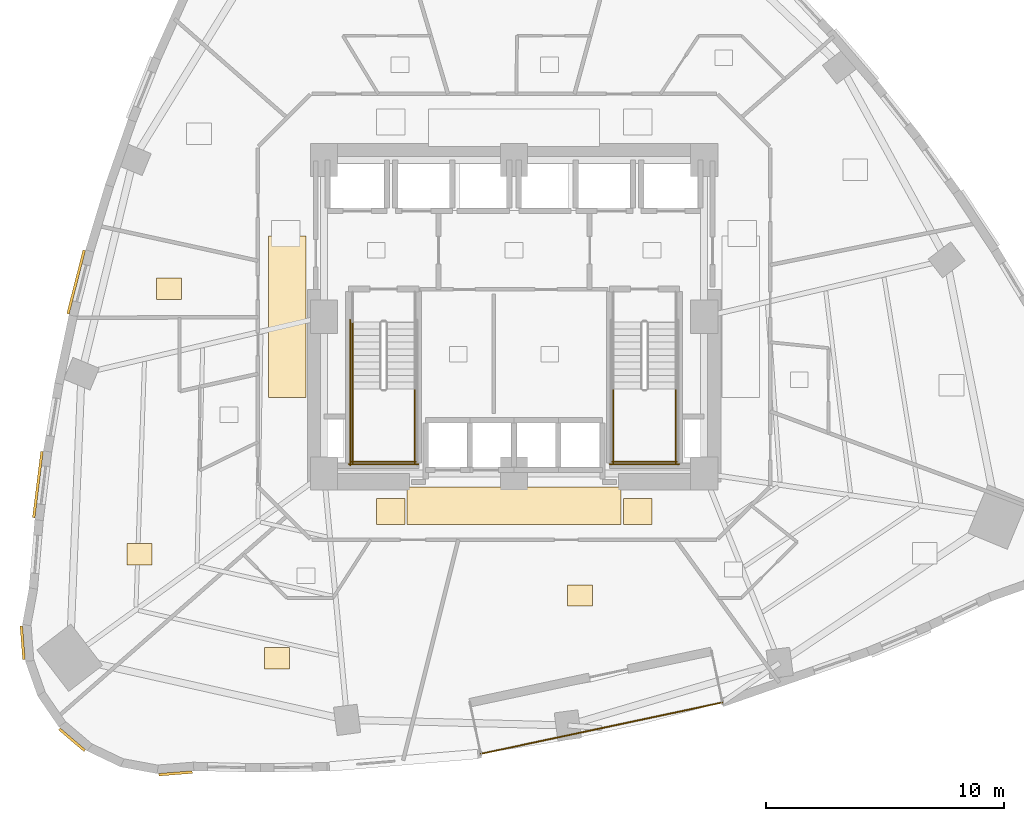
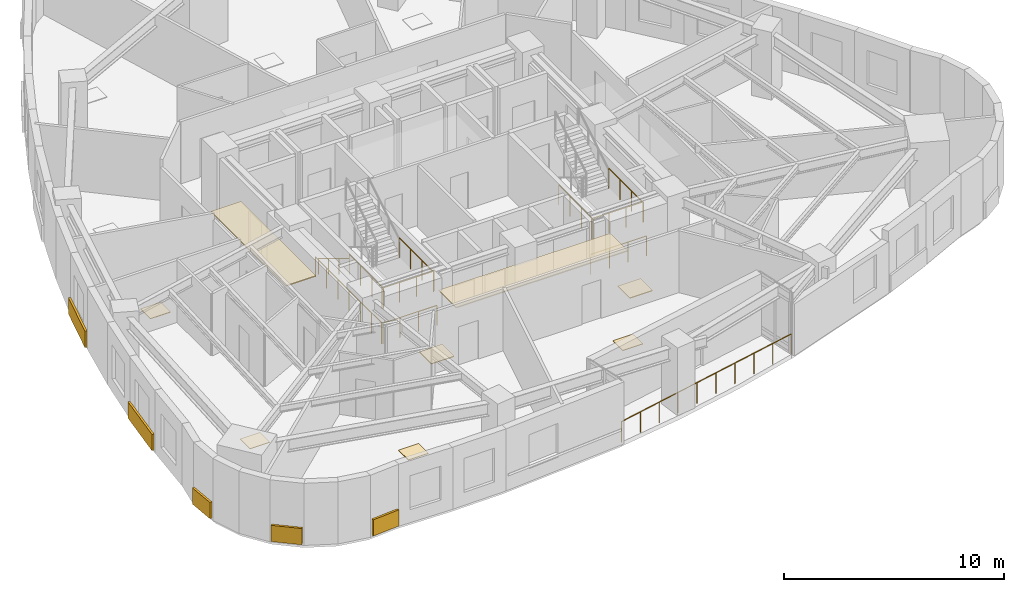
# One storey, part 10 of 12: 13 coverings, 11 railings.
"""IFC4 building model written with IfcOpenShell, lengths in metres."""

from ifc_helpers import new_model, si_unit, direction, frame, origin, origin_2d, place, context, subcontext, project, spatial, rectangle, circle, extrude, material, layer, layer_set, type_object, element, save


model = new_model("IFC4")

# Units and contexts
model_context = context("Model", 3, precision=1e-05, world=origin(), true_north=direction((0.0, 1.0)))
body_context = subcontext(model_context, "Body", "Model", "MODEL_VIEW")
ifc_project = project(units=[si_unit("LENGTHUNIT", "METRE"), si_unit("AREAUNIT", "SQUARE_METRE"), si_unit("VOLUMEUNIT", "CUBIC_METRE"), si_unit("PLANEANGLEUNIT", "RADIAN"), si_unit("MASSUNIT", "GRAM", prefix="KILO")], contexts=[model_context])

# Site, building, storey
site_placement = place(None, origin())
site = spatial("IfcSite", under=ifc_project, at=site_placement, CompositionType="ELEMENT")
building_placement = place(site_placement, origin())
building = spatial("IfcBuilding", under=site, at=building_placement, Name="Ndelora Gate Hotel", CompositionType="ELEMENT")
storey_placement = place(building_placement, frame((0.0, 0.0, 79.25)))
storey = spatial("IfcBuildingStorey", under=building, at=storey_placement, Name="L19", CompositionType="ELEMENT", Elevation=79.25)

# Coverings
ifc_material_1 = material(Name="Perforated Acoustic Gypsum Board", Category="gypsum")
ifc_layer_1 = layer(ifc_material_1, 0.054931640625)
ifc_layer_set_1 = layer_set([ifc_layer_1], Name="Perforated Acoustic Gypsum Board")
covering_type_1 = type_object("IfcCoveringType", Name="COV-CEIL-AC60", PredefinedType="CEILING", material=ifc_layer_set_1)
covering_1_placement = place(storey_placement, frame((-9.550048828125, 0.0, 2.65234375), z_axis=(0.0, 0.0, 1.0), x_axis=(1.0, 0.0, 0.0)))
element("IfcCovering", 1, at=covering_1_placement, inside=storey, type_object=covering_type_1, Name="L19 Guest Corridor Acoustic Ceiling W", PredefinedType="CEILING", context=body_context, shape_type="SweptSolid", body=[
    extrude(rectangle(XDim=1.580078125, YDim=6.800048828125, at=origin_2d()), origin(), (0.0, 0.0, 1.0), 0.054931640625),
])
covering_2_placement = place(storey_placement, frame((0.0, -7.9599609375, 2.65234375), z_axis=(0.0, 0.0, 1.0), x_axis=(1.0, 0.0, 0.0)))
element("IfcCovering", 2, at=covering_2_placement, inside=storey, type_object=covering_type_1, Name="L19 Guest Corridor Acoustic Ceiling S", PredefinedType="CEILING", context=body_context, shape_type="SweptSolid", body=[
    extrude(rectangle(XDim=9.0, YDim=1.580078125, at=origin_2d()), origin(), (0.0, 0.0, 1.0), 0.054931640625),
])
ifc_material_2 = material(Name="Terracotta Fired Clay Brick Slip Cladding", Category="masonry")
ifc_layer_2 = layer(ifc_material_2, 0.110107421875)
ifc_layer_set_2 = layer_set([ifc_layer_2], Name="Terracotta Fired Clay Brick Slip Cladding")
covering_type_2 = type_object("IfcCoveringType", Name="COV-CLAD-BRK", PredefinedType="CLADDING", material=ifc_layer_set_2)
covering_3_placement = place(storey_placement, frame((-18.433837890625, 1.464599609375, 0.10009765625), z_axis=(0.0, 0.0, 1.0), x_axis=(0.247506354292, 0.968886270202, 0.0)))
element("IfcCovering", 3, at=covering_3_placement, inside=storey, type_object=covering_type_2, Name="L19 Rounded-Corner Brick Cladding Band 16", PredefinedType="CLADDING", context=body_context, shape_type="SweptSolid", body=[
    extrude(rectangle(XDim=2.764892578125, YDim=0.110107421875, at=origin_2d()), origin(), (0.0, 0.0, 1.0), 0.89990234375),
])
covering_4_placement = place(storey_placement, frame((-20.043701171875, -7.0615234375, 0.10009765625), z_axis=(0.0, 0.0, 1.0), x_axis=(0.123774669453, 0.992310350244, 0.0)))
element("IfcCovering", 4, at=covering_4_placement, inside=storey, type_object=covering_type_2, Name="L19 Rounded-Corner Brick Cladding Band 19", PredefinedType="CLADDING", context=body_context, shape_type="SweptSolid", body=[
    extrude(rectangle(XDim=2.81103515625, YDim=0.110107421875, at=origin_2d()), origin(), (0.0, 0.0, 1.0), 0.89990234375),
])
for number, where, z_axis, x_axis, name in (
    (5, (-20.685546875, -13.723388671875, 0.10009765625), (0.0, 0.0, 1.0), (-0.078459095728, 0.996917333733, 0.0), "L19 Rounded-Corner Brick Cladding Band 22"),
    (6, (-18.606201171875, -17.80419921875, 0.10009765625), (0.0, 0.0, 1.0), (-0.7604059656, 0.64944804833, 0.0), "L19 Rounded-Corner Brick Cladding Band 25"),
    (7, (-14.250732421875, -19.219482421875, 0.10009765625), (0.0, 0.0, 1.0), (0.996917333733, 0.078459095728, 0.0), "L19 Rounded-Corner Brick Cladding Band 28"),
):
    element("IfcCovering", number, at=place(storey_placement, frame(where, z_axis=z_axis, x_axis=x_axis)), inside=storey, type_object=covering_type_2, Name=name, PredefinedType="CLADDING", context=body_context, shape_type="SweptSolid", body=[
        extrude(rectangle(XDim=1.4140625, YDim=0.110107421875, at=origin_2d()), origin(), (0.0, 0.0, 1.0), 0.89990234375),
    ])
ifc_material_3 = material(Name="Engineered Highland Oak Parquet", Category="wood")
ifc_layer_3 = layer(ifc_material_3, 0.030029296875)
ifc_layer_set_3 = layer_set([ifc_layer_3], Name="Engineered Highland Oak Parquet")
covering_type_3 = type_object("IfcCoveringType", Name="COV-FLR-PARQ", PredefinedType="FLOORING", material=ifc_layer_set_3)
for number, where, z_axis, x_axis, name in (
    (8, (-15.77001953125, -10.001953125, 0.0), (0.0, 0.0, 1.0), (1.0, 0.0, 0.0), "L19 Two-Bay Diplomatic Suite 2201 Oak Parquet Flooring"),
    (9, (-9.977783203125, -14.3671875, 0.0), (0.0, 0.0, 1.0), (1.0, 0.0, 0.0), "L19 Corner Executive Suite 2202 Oak Parquet Flooring"),
    (10, (2.782958984375, -11.73095703125, 0.0), (0.0, 0.0, 1.0), (1.0, 0.0, 0.0), "L19 Sky Garden Tea Dining Room Oak Parquet Flooring"),
    (11, (-14.523193359375, 1.17236328125, 0.0), (0.0, 0.0, 1.0), (1.0, 0.0, 0.0), "L19 Housekeeping and Linen Room Oak Parquet Flooring"),
):
    element("IfcCovering", number, at=place(storey_placement, frame(where, z_axis=z_axis, x_axis=x_axis)), inside=storey, type_object=covering_type_3, Name=name, PredefinedType="FLOORING", context=body_context, shape_type="SweptSolid", body=[
        extrude(rectangle(XDim=1.050048828125, YDim=0.89990234375, at=origin_2d()), origin(), (0.0, 0.0, 1.0), 0.030029296875),
    ])
ifc_material_4 = material(Name="Polished Highland Stone Terrazzo", Category="masonry")
ifc_layer_4 = layer(ifc_material_4, 0.034912109375)
ifc_layer_set_4 = layer_set([ifc_layer_4], Name="Polished Highland Stone Terrazzo")
covering_type_4 = type_object("IfcCoveringType", Name="COV-FLR-TERZ", PredefinedType="FLOORING", material=ifc_layer_set_4)
for number, where, z_axis, x_axis, name in (
    (12, (-5.199951171875, -8.199951171875, 0.0), (0.0, 0.0, 1.0), (1.0, 0.0, 0.0), "L19 Corridor Threshold Terrazzo Inlay SW"),
    (13, (5.199951171875, -8.199951171875, 0.0), (0.0, 0.0, 1.0), (1.0, 0.0, 0.0), "L19 Corridor Threshold Terrazzo Inlay SE"),
):
    element("IfcCovering", number, at=place(storey_placement, frame(where, z_axis=z_axis, x_axis=x_axis)), inside=storey, type_object=covering_type_4, Name=name, PredefinedType="FLOORING", context=body_context, shape_type="SweptSolid", body=[
        extrude(rectangle(XDim=1.199951171875, YDim=1.10009765625, at=origin_2d()), origin(), (0.0, 0.0, 1.0), 0.034912109375),
    ])

# Railings
ifc_material_5 = material(Name="Laminated Safety Glass and Bronze Top Rail", Category="glass")
ifc_layer_5 = layer(ifc_material_5, 0.070068359375)
ifc_layer_set_5 = layer_set([ifc_layer_5], Name="Laminated Safety Glass and Bronze Top Rail")
railing_type_1 = type_object("IfcRailingType", Name="RL-BAL-1150", PredefinedType="BALUSTRADE", material=ifc_layer_set_5)
railing_1_placement = place(storey_placement, frame((-1.406005859375, -18.39599609375, 0.0)))
element("IfcRailing", 14, at=railing_1_placement, inside=storey, type_object=railing_type_1, Name="L19 Sky-Garden Loggia Terrace Balustrade", PredefinedType="BALUSTRADE", context=body_context, shape_type="SweptSolid", body=[
    extrude(circle(Radius=0.02392578125, at=origin_2d()), frame((0.0, 0.0, 1.1357421875), z_axis=(0.978151452323, 0.207893569688, 0.0), x_axis=(-0.207893569688, 0.978151452323, 0.0)), (0.0, 0.0, 1.0), 10.400146484375),
    extrude(circle(Radius=0.02099609375, at=origin_2d()), origin(), (0.0, 0.0, 1.0), 1.11181640625),
    extrude(circle(Radius=0.02099609375, at=origin_2d()), frame((1.13037109375, 0.240234375, 0.0)), (0.0, 0.0, 1.0), 1.11181640625),
    extrude(circle(Radius=0.02099609375, at=origin_2d()), frame((2.2607421875, 0.48046875, 0.0)), (0.0, 0.0, 1.0), 1.11181640625),
    extrude(circle(Radius=0.02099609375, at=origin_2d()), frame((3.390869140625, 0.720703125, 0.0)), (0.0, 0.0, 1.0), 1.11181640625),
    extrude(circle(Radius=0.02099609375, at=origin_2d()), frame((4.521240234375, 0.9609375, 0.0)), (0.0, 0.0, 1.0), 1.11181640625),
    extrude(circle(Radius=0.02099609375, at=origin_2d()), frame((5.651611328125, 1.201171875, 0.0)), (0.0, 0.0, 1.0), 1.11181640625),
    extrude(circle(Radius=0.02099609375, at=origin_2d()), frame((6.781982421875, 1.44140625, 0.0)), (0.0, 0.0, 1.0), 1.11181640625),
    extrude(circle(Radius=0.02099609375, at=origin_2d()), frame((7.912109375, 1.681640625, 0.0)), (0.0, 0.0, 1.0), 1.11181640625),
    extrude(circle(Radius=0.02099609375, at=origin_2d()), frame((9.04248046875, 1.921875, 0.0)), (0.0, 0.0, 1.0), 1.11181640625),
    extrude(circle(Radius=0.02099609375, at=origin_2d()), frame((10.1728515625, 2.162109375, 0.0)), (0.0, 0.0, 1.0), 1.11181640625),
])
ifc_material_6 = material(Name="Painted Galvanized Steel Balustrade", Category="steel")
ifc_layer_6 = layer(ifc_material_6, 0.06005859375)
ifc_layer_set_6 = layer_set([ifc_layer_6], Name="Painted Galvanized Steel Balustrade")
railing_type_2 = type_object("IfcRailingType", Name="RL-STAIR-GD", PredefinedType="GUARDRAIL", material=ifc_layer_set_6)
for number, where, name in (
    (15, (-6.800048828125, -3.030029296875, 1.875), "L19 ST4 stair guard 3"),
    (16, (-4.179931640625, -3.030029296875, 1.875), "L19 ST4 stair guard 4"),
):
    element("IfcRailing", number, at=place(storey_placement, frame(where)), inside=storey, type_object=railing_type_2, Name=name, PredefinedType="GUARDRAIL", context=body_context, shape_type="SweptSolid", body=[
        extrude(circle(Radius=0.02392578125, at=origin_2d()), frame((0.0, 0.0, 1.10595703125), z_axis=(0.0, -1.0, 0.0), x_axis=(1.0, 0.0, 0.0)), (0.0, 0.0, 1.0), 3.119873046875),
        extrude(circle(Radius=0.02099609375, at=origin_2d()), origin(), (0.0, 0.0, 1.0), 1.081787109375),
        extrude(circle(Radius=0.02099609375, at=origin_2d()), frame((0.0, -1.0400390625, 0.0)), (0.0, 0.0, 1.0), 1.081787109375),
        extrude(circle(Radius=0.02099609375, at=origin_2d()), frame((0.0, -2.079833984375, 0.0)), (0.0, 0.0, 1.0), 1.081787109375),
        extrude(circle(Radius=0.02099609375, at=origin_2d()), frame((0.0, -3.119873046875, 0.0)), (0.0, 0.0, 1.0), 1.081787109375),
    ])
railing_2_placement = place(storey_placement, frame((-6.85009765625, -6.10009765625, 1.875)))
element("IfcRailing", 17, at=railing_2_placement, inside=storey, type_object=railing_type_2, Name="L19 ST4 stair guard 5", PredefinedType="GUARDRAIL", context=body_context, shape_type="SweptSolid", body=[
    extrude(circle(Radius=0.02392578125, at=origin_2d()), frame((0.0, 0.0, 1.10595703125), z_axis=(1.0, 0.0, 0.0), x_axis=(0.0, 1.0, 0.0)), (0.0, 0.0, 1.0), 2.72021484375),
    extrude(circle(Radius=0.02099609375, at=origin_2d()), origin(), (0.0, 0.0, 1.0), 1.081787109375),
    extrude(circle(Radius=0.02099609375, at=origin_2d()), frame((0.90673828125, 0.0, 0.0)), (0.0, 0.0, 1.0), 1.081787109375),
    extrude(circle(Radius=0.02099609375, at=origin_2d()), frame((1.8134765625, 0.0, 0.0)), (0.0, 0.0, 1.0), 1.081787109375),
    extrude(circle(Radius=0.02099609375, at=origin_2d()), frame((2.72021484375, 0.0, 0.0)), (0.0, 0.0, 1.0), 1.081787109375),
])
railing_3_placement = place(storey_placement, frame((-6.89990234375, -0.1298828125, 0.0)))
element("IfcRailing", 18, at=railing_3_placement, inside=storey, type_object=railing_type_2, Name="L19 ST4 stair guard 10", PredefinedType="GUARDRAIL", context=body_context, shape_type="SweptSolid", body=[
    extrude(circle(Radius=0.02392578125, at=origin_2d()), frame((0.0, 0.0, 1.10595703125), z_axis=(0.0, -1.0, 0.0), x_axis=(1.0, 0.0, 0.0)), (0.0, 0.0, 1.0), 6.1201171875),
    extrude(circle(Radius=0.02099609375, at=origin_2d()), origin(), (0.0, 0.0, 1.0), 1.081787109375),
    extrude(circle(Radius=0.02099609375, at=origin_2d()), frame((0.0, -1.02001953125, 0.0)), (0.0, 0.0, 1.0), 1.081787109375),
    extrude(circle(Radius=0.02099609375, at=origin_2d()), frame((0.0, -2.0400390625, 0.0)), (0.0, 0.0, 1.0), 1.081787109375),
    extrude(circle(Radius=0.02099609375, at=origin_2d()), frame((0.0, -3.06005859375, 0.0)), (0.0, 0.0, 1.0), 1.081787109375),
    extrude(circle(Radius=0.02099609375, at=origin_2d()), frame((0.0, -4.080078125, 0.0)), (0.0, 0.0, 1.0), 1.081787109375),
    extrude(circle(Radius=0.02099609375, at=origin_2d()), frame((0.0, -5.10009765625, 0.0)), (0.0, 0.0, 1.0), 1.081787109375),
    extrude(circle(Radius=0.02099609375, at=origin_2d()), frame((0.0, -6.1201171875, 0.0)), (0.0, 0.0, 1.0), 1.081787109375),
])
railing_4_placement = place(storey_placement, frame((-6.949951171875, -6.199951171875, 0.0)))
element("IfcRailing", 19, at=railing_4_placement, inside=storey, type_object=railing_type_2, Name="L19 ST4 stair guard 12", PredefinedType="GUARDRAIL", context=body_context, shape_type="SweptSolid", body=[
    extrude(circle(Radius=0.02392578125, at=origin_2d()), frame((0.0, 0.0, 1.10595703125), z_axis=(1.0, 0.0, 0.0), x_axis=(0.0, 1.0, 0.0)), (0.0, 0.0, 1.0), 2.919921875),
    extrude(circle(Radius=0.02099609375, at=origin_2d()), origin(), (0.0, 0.0, 1.0), 1.081787109375),
    extrude(circle(Radius=0.02099609375, at=origin_2d()), frame((0.973388671875, 0.0, 0.0)), (0.0, 0.0, 1.0), 1.081787109375),
    extrude(circle(Radius=0.02099609375, at=origin_2d()), frame((1.946533203125, 0.0, 0.0)), (0.0, 0.0, 1.0), 1.081787109375),
    extrude(circle(Radius=0.02099609375, at=origin_2d()), frame((2.919921875, 0.0, 0.0)), (0.0, 0.0, 1.0), 1.081787109375),
])
for number, where, name in (
    (20, (4.179931640625, -3.030029296875, 1.875), "L19 ST5 stair guard 3"),
    (21, (6.800048828125, -3.030029296875, 1.875), "L19 ST5 stair guard 4"),
):
    element("IfcRailing", number, at=place(storey_placement, frame(where)), inside=storey, type_object=railing_type_2, Name=name, PredefinedType="GUARDRAIL", context=body_context, shape_type="SweptSolid", body=[
        extrude(circle(Radius=0.02392578125, at=origin_2d()), frame((0.0, 0.0, 1.10595703125), z_axis=(0.0, -1.0, 0.0), x_axis=(1.0, 0.0, 0.0)), (0.0, 0.0, 1.0), 3.119873046875),
        extrude(circle(Radius=0.02099609375, at=origin_2d()), origin(), (0.0, 0.0, 1.0), 1.081787109375),
        extrude(circle(Radius=0.02099609375, at=origin_2d()), frame((0.0, -1.0400390625, 0.0)), (0.0, 0.0, 1.0), 1.081787109375),
        extrude(circle(Radius=0.02099609375, at=origin_2d()), frame((0.0, -2.079833984375, 0.0)), (0.0, 0.0, 1.0), 1.081787109375),
        extrude(circle(Radius=0.02099609375, at=origin_2d()), frame((0.0, -3.119873046875, 0.0)), (0.0, 0.0, 1.0), 1.081787109375),
    ])
railing_5_placement = place(storey_placement, frame((4.1298828125, -6.10009765625, 1.875)))
element("IfcRailing", 22, at=railing_5_placement, inside=storey, type_object=railing_type_2, Name="L19 ST5 stair guard 5", PredefinedType="GUARDRAIL", context=body_context, shape_type="SweptSolid", body=[
    extrude(circle(Radius=0.02392578125, at=origin_2d()), frame((0.0, 0.0, 1.10595703125), z_axis=(1.0, 0.0, 0.0), x_axis=(0.0, 1.0, 0.0)), (0.0, 0.0, 1.0), 2.72021484375),
    extrude(circle(Radius=0.02099609375, at=origin_2d()), origin(), (0.0, 0.0, 1.0), 1.081787109375),
    extrude(circle(Radius=0.02099609375, at=origin_2d()), frame((0.90673828125, 0.0, 0.0)), (0.0, 0.0, 1.0), 1.081787109375),
    extrude(circle(Radius=0.02099609375, at=origin_2d()), frame((1.8134765625, 0.0, 0.0)), (0.0, 0.0, 1.0), 1.081787109375),
    extrude(circle(Radius=0.02099609375, at=origin_2d()), frame((2.72021484375, 0.0, 0.0)), (0.0, 0.0, 1.0), 1.081787109375),
])
railing_6_placement = place(storey_placement, frame((4.030029296875, -6.199951171875, 0.0)))
element("IfcRailing", 23, at=railing_6_placement, inside=storey, type_object=railing_type_2, Name="L19 ST5 stair guard 12", PredefinedType="GUARDRAIL", context=body_context, shape_type="SweptSolid", body=[
    extrude(circle(Radius=0.02392578125, at=origin_2d()), frame((0.0, 0.0, 1.10595703125), z_axis=(1.0, 0.0, 0.0), x_axis=(0.0, 1.0, 0.0)), (0.0, 0.0, 1.0), 2.919921875),
    extrude(circle(Radius=0.02099609375, at=origin_2d()), origin(), (0.0, 0.0, 1.0), 1.081787109375),
    extrude(circle(Radius=0.02099609375, at=origin_2d()), frame((0.973388671875, 0.0, 0.0)), (0.0, 0.0, 1.0), 1.081787109375),
    extrude(circle(Radius=0.02099609375, at=origin_2d()), frame((1.946533203125, 0.0, 0.0)), (0.0, 0.0, 1.0), 1.081787109375),
    extrude(circle(Radius=0.02099609375, at=origin_2d()), frame((2.919921875, 0.0, 0.0)), (0.0, 0.0, 1.0), 1.081787109375),
])
ifc_material_7 = material(Name="Brushed Stainless Steel 316", Category="steel")
ifc_layer_7 = layer(ifc_material_7, 0.050048828125)
ifc_layer_set_7 = layer_set([ifc_layer_7], Name="Brushed Stainless Steel 316")
railing_type_3 = type_object("IfcRailingType", Name="RL-STAIR-HR", PredefinedType="HANDRAIL", material=ifc_layer_set_7)
railing_7_placement = place(storey_placement, frame((-6.800048828125, -0.22998046875, 0.17041015625)))
element("IfcRailing", 24, at=railing_7_placement, inside=storey, type_object=railing_type_3, Name="L19 ST4 stair handrail 1", PredefinedType="HANDRAIL", context=body_context, shape_type="SweptSolid", body=[
    extrude(circle(Radius=0.02392578125, at=origin_2d()), frame((0.0, 0.0, 0.8759765625), z_axis=(0.0, -0.854169791009, 0.51999420009), x_axis=(1.0, 0.0, 0.0)), (0.0, 0.0, 1.0), 3.278076171875),
    extrude(circle(Radius=0.02099609375, at=origin_2d()), origin(), (0.0, 0.0, 1.0), 0.851806640625),
    extrude(circle(Radius=0.02099609375, at=origin_2d()), frame((0.0, -0.933349609375, 0.568115234375)), (0.0, 0.0, 1.0), 0.851806640625),
    extrude(circle(Radius=0.02099609375, at=origin_2d()), frame((0.0, -1.86669921875, 1.136474609375)), (0.0, 0.0, 1.0), 0.851806640625),
    extrude(circle(Radius=0.02099609375, at=origin_2d()), frame((0.0, -2.800048828125, 1.70458984375)), (0.0, 0.0, 1.0), 0.851806640625),
])

save(model, "model.ifc")
